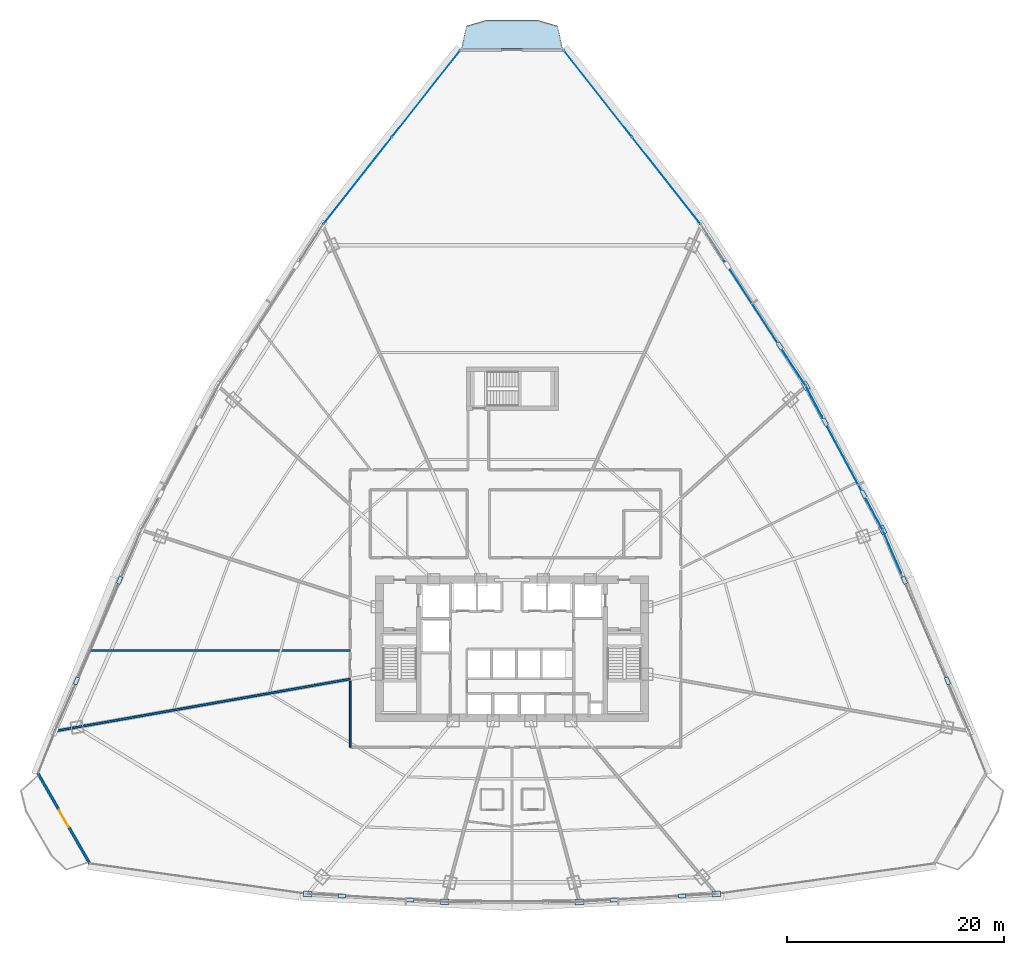
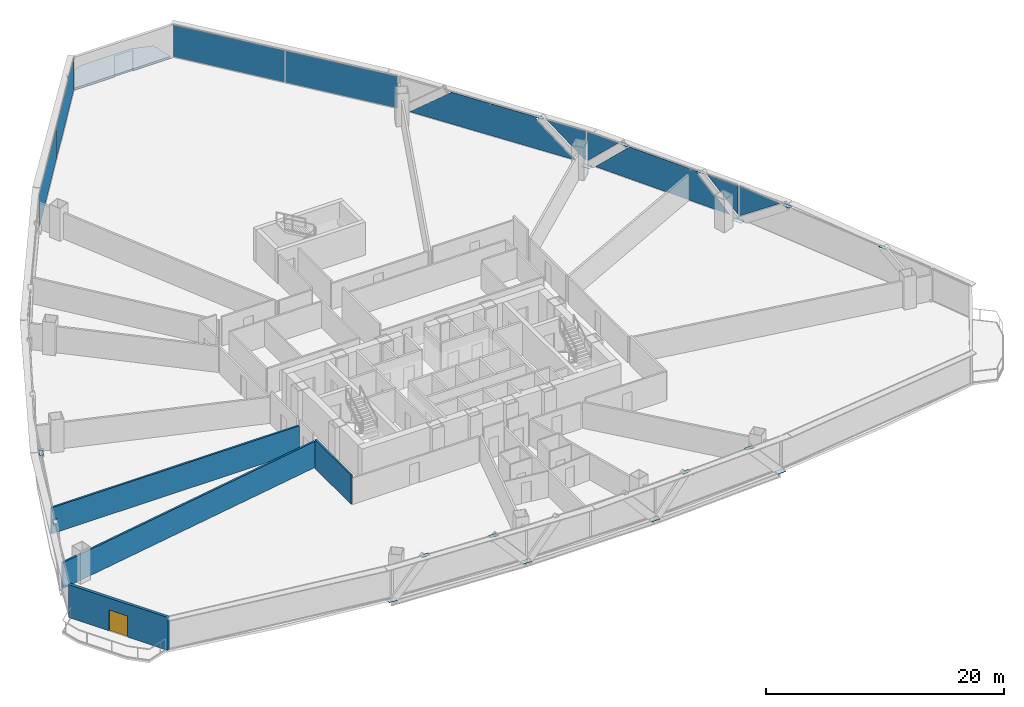
# One storey, part 29 of 38: 27 plates, 4 walls, 1 door, 1 slab, 1 opening, 5 elements without a shape of their own.
"""IFC4 building model written with IfcOpenShell, lengths in metres."""

from ifc_helpers import new_model, si_unit, direction, frame, frame_2d, origin, origin_with_axes, origin_2d, place, context, subcontext, project, spatial, polyline, rectangle, outline, extrude, source, transform, mapped, material, layer, layer_set, type_object, element, fill, aggregate, save


model = new_model("IFC4")

# Units and contexts
model_context = context("Model", 3, precision=1e-05, world=origin(), true_north=direction((0.0, 1.0)))
body_context = subcontext(model_context, "Body", "Model", "MODEL_VIEW")
ifc_project = project(units=[si_unit("LENGTHUNIT", "METRE"), si_unit("AREAUNIT", "SQUARE_METRE"), si_unit("VOLUMEUNIT", "CUBIC_METRE"), si_unit("PLANEANGLEUNIT", "RADIAN"), si_unit("MASSUNIT", "GRAM", prefix="KILO"), si_unit("THERMODYNAMICTEMPERATUREUNIT", "KELVIN"), si_unit("POWERUNIT", "WATT")], contexts=[model_context])

# Site, building, storey
site_placement = place(None, origin())
site = spatial("IfcSite", under=ifc_project, at=site_placement, CompositionType="ELEMENT")
building_placement = place(site_placement, origin())
building = spatial("IfcBuilding", under=site, at=building_placement, Name="Yunzhuo Pagoda Commons", CompositionType="ELEMENT")
storey_placement = place(building_placement, frame((0.0, 0.0, 34.030029296875)))
storey = spatial("IfcBuildingStorey", under=building, at=storey_placement, Name="L08", CompositionType="ELEMENT", Elevation=34.030029296875)

# Curtain wall, plate
ifc_material_1 = material(Name="Anodized aluminium 6063-T6", Category="aluminium")
ifc_layer_1 = layer(ifc_material_1, 0.1650390625)
ifc_layer_set_1 = layer_set([ifc_layer_1], Name="Anodized aluminium 6063-T6")
curtain_wall_type = type_object("IfcCurtainWallType", Name="CW-LOW Low-Zone Ribbon Curtain Wall", PredefinedType="NOTDEFINED", material=ifc_layer_set_1)
curtain_wall_1_placement = place(storey_placement, origin())
curtain_wall_1 = element("IfcCurtainWall", 1, at=curtain_wall_1_placement, inside=storey, type_object=curtain_wall_type, Name="L08 curtain wall CW-L08-F2B2", PredefinedType="NOTDEFINED")
ifc_material_2 = material(Name="Tempered low-e double glazing", Category="glass")
ifc_layer_2 = layer(ifc_material_2, 0.028076171875)
ifc_layer_set_2 = layer_set([ifc_layer_2], Name="Tempered low-e double glazing")
plate_type_1 = type_object("IfcPlateType", Name="CW-LOW-P Low-E Double Glazing 28", PredefinedType="CURTAIN_PANEL", material=ifc_layer_set_2)
plate_1_placement = place(storey_placement, frame((82.990478515625, 42.77978515625, 1.782470703125), z_axis=(0.918745212535, 0.394850901535, 0.0), x_axis=(-0.394850901535, 0.918745212535, 0.0)))
plate_1 = element("IfcPlate", 2, at=plate_1_placement, type_object=plate_type_1, Name="CW panel 1.1 lite 3", PredefinedType="CURTAIN_PANEL", context=body_context, shape_type="SweptSolid", body=[
    extrude(outline(polyline([(-2.1201171875, 1.52734375), (2.1201171875, -1.52734375), (2.1201171875, 1.52734375), (-2.1201171875, 1.52734375)])), origin(), (0.0, 0.0, 1.0), 0.028076171875),
])
aggregate(curtain_wall_1, [plate_1])

# Curtain wall, plates
curtain_wall_2_placement = place(storey_placement, origin())
curtain_wall_2 = element("IfcCurtainWall", 3, at=curtain_wall_2_placement, inside=storey, type_object=curtain_wall_type, Name="L08 curtain wall CW-L08-F2B3", PredefinedType="NOTDEFINED")
plate_2_placement = place(storey_placement, frame((81.370849609375, 46.205078125, 1.820556640625), z_axis=(0.882141395132, 0.470984669595, 0.0), x_axis=(-0.470984669595, 0.882141395132, 0.0)))
plate_2 = element("IfcPlate", 4, at=plate_2_placement, type_object=plate_type_1, Name="CW panel 1.1 lite 1", PredefinedType="CURTAIN_PANEL", context=body_context, shape_type="SweptSolid", body=[
    extrude(outline(polyline([(-1.543212890625, -1.489501953125), (1.543212890625, 1.489501953125), (-1.543212890625, 1.489501953125), (-1.543212890625, -1.489501953125)])), origin(), (0.0, 0.0, 1.0), 0.028076171875),
])
plate_3_placement = place(storey_placement, frame((78.5595703125, 51.406494140625, 1.68505859375), z_axis=(0.882141395132, 0.470984669595, 0.0), x_axis=(-0.470984669595, 0.882141395132, 0.0)))
plate_3 = element("IfcPlate", 5, at=plate_3_placement, type_object=plate_type_1, Name="CW panel 1.1 lite 2", PredefinedType="CURTAIN_PANEL", context=body_context, shape_type="SweptSolid", body=[
    extrude(outline(polyline([(-6.64208984375, -1.625), (6.64208984375, -1.625), (3.275390625, 1.625), (-3.275390625, 1.625), (-6.64208984375, -1.625)])), origin(), (0.0, 0.0, 1.0), 0.028076171875),
])
plate_4_placement = place(storey_placement, frame((75.80126953125, 56.636474609375, 1.820556640625), z_axis=(0.882141395132, 0.470984669595, 0.0), x_axis=(-0.470984669595, 0.882141395132, 0.0)))
plate_4 = element("IfcPlate", 6, at=plate_4_placement, type_object=plate_type_1, Name="CW panel 1.1 lite 3", PredefinedType="CURTAIN_PANEL", context=body_context, shape_type="SweptSolid", body=[
    extrude(outline(polyline([(-1.543212890625, 1.489501953125), (1.543212890625, -1.489501953125), (1.543212890625, 1.489501953125), (-1.543212890625, 1.489501953125)])), origin(), (0.0, 0.0, 1.0), 0.028076171875),
])
aggregate(curtain_wall_2, [plate_2, plate_3, plate_4])

curtain_wall_3_placement = place(storey_placement, origin())
curtain_wall_3 = element("IfcCurtainWall", 7, at=curtain_wall_3_placement, inside=storey, type_object=curtain_wall_type, Name="L08 curtain wall CW-L08-F2B4", PredefinedType="NOTDEFINED")
plate_5_placement = place(storey_placement, frame((74.007568359375, 59.65087890625, 1.797607421875), z_axis=(0.83865240069, 0.544667009114, 0.0), x_axis=(-0.544667009114, 0.83865240069, 0.0)))
plate_5 = element("IfcPlate", 8, at=plate_5_placement, type_object=plate_type_1, Name="CW panel 1.1 lite 1", PredefinedType="CURTAIN_PANEL", context=body_context, shape_type="SweptSolid", body=[
    extrude(outline(polyline([(-1.8388671875, -1.51220703125), (1.8388671875, 1.51220703125), (-1.8388671875, 1.51220703125), (-1.8388671875, -1.51220703125)])), origin(), (0.0, 0.0, 1.0), 0.028076171875),
])
plate_6_placement = place(storey_placement, frame((70.2109375, 65.441650390625, 1.68505859375), z_axis=(0.83865240069, 0.544667009114, 0.0), x_axis=(-0.544667009114, 0.83865240069, 0.0)))
plate_6 = element("IfcPlate", 9, at=plate_6_placement, type_object=plate_type_1, Name="CW panel 1.1 lite 2", PredefinedType="CURTAIN_PANEL", context=body_context, shape_type="SweptSolid", body=[
    extrude(outline(polyline([(-7.8408203125, -1.625), (7.8408203125, -1.625), (3.888916015625, 1.625), (-3.888916015625, 1.625), (-7.8408203125, -1.625)])), origin(), (0.0, 0.0, 1.0), 0.028076171875),
])
aggregate(curtain_wall_3, [plate_5, plate_6])

# Slab
ifc_material_3 = material(Name="Concrete C40", Category="concrete")
ifc_layer_3 = layer(ifc_material_3, 0.199951171875)
ifc_layer_set_3 = layer_set([ifc_layer_3], Name="Concrete C40")
slab_type = type_object("IfcSlabType", Name="SL-BAL Vertex Balcony Deck Slab 200", PredefinedType="FLOOR", material=ifc_layer_set_3)
slab_placement = place(storey_placement, frame((0.0, 0.0, -0.199951171875)))
element("IfcSlab", 10, at=slab_placement, inside=storey, type_object=slab_type, Name="L08 corner balcony V3", PredefinedType="FLOOR", context=body_context, shape_type="SweptSolid", body=[
    extrude(outline(polyline([(52.66357421875, 89.11572265625), (43.33642578125, 89.11572265625), (43.786376953125, 91.210693359375), (45.668212890625, 91.7607421875), (50.331787109375, 91.7607421875), (52.213623046875, 91.210693359375), (52.66357421875, 89.11572265625)])), origin(), (0.0, 0.0, 1.0), 0.199951171875),
])

# Plates
ifc_material_4 = material(Name="Structural steel Q355B", Category="steel")
ifc_layer_4 = layer(ifc_material_4, 0.028076171875)
ifc_layer_set_4 = layer_set([ifc_layer_4], Name="Structural steel Q355B")
plate_type_2 = type_object("IfcPlateType", Name="SP-ND1 Lattice Node Cap Plate 800x500x28", PredefinedType="USERDEFINED", material=ifc_layer_set_4)
shared_shape_1 = source(origin(), body_context, "Body", "SweptSolid", [
    extrude(rectangle(XDim=0.800048828125, YDim=0.5, at=origin_2d()), origin(), (0.0, 0.0, 1.0), 0.028076171875),
])
for number, where, z_axis, x_axis, name in (
    (11, (29.18701171875, 11.279541015625, -0.27392578125), (0.0, 0.0, 1.0), (0.998322672768, -0.057895086472, 0.0), "L08 diamond node plate F1.1A"),
    (12, (41.79638671875, 10.548095703125, -0.27392578125), (0.0, 0.0, 1.0), (1.0, 0.0, 0.0), "L08 diamond node plate F1.2A"),
    (13, (54.20361328125, 10.548095703125, -0.27392578125), (0.0, 0.0, 1.0), (0.998322672768, 0.057895086472, 0.0), "L08 diamond node plate F1.3A"),
    (14, (66.81298828125, 11.279541015625, -0.27392578125), (0.0, 0.0, 1.0), (0.998322672768, 0.057895086472, 0.0), "L08 diamond node plate F1.3B"),
    (15, (82.140625, 44.79296875, -0.27392578125), (0.0, 0.0, 1.0), (-0.470981088896, 0.882143306897, 0.0), "L08 diamond node plate F2.2A"),
    (16, (75.056396484375, 58.061767578125, -0.27392578125), (0.0, 0.0, 1.0), (-0.544668309809, 0.838651555946, 0.0), "L08 diamond node plate F2.3A"),
):
    element("IfcPlate", number, at=place(storey_placement, frame(where, z_axis=z_axis, x_axis=x_axis)), inside=storey, type_object=plate_type_2, Name=name, ObjectType="STIFFENER_PLATE", PredefinedType="USERDEFINED", context=body_context, shape_type="MappedRepresentation", body=[
        mapped(shared_shape_1, transform((0.0, 0.0, 0.0), scale=1.0)),
    ])
shared_shape_2 = source(origin(), body_context, "Body", "SweptSolid", [
    extrude(rectangle(XDim=0.699951171875, YDim=0.35009765625, at=origin_2d()), origin(), (0.0, 0.0, 1.0), 0.035888671875),
])
for number, where, z_axis, x_axis, name in (
    (17, (32.33935546875, 11.0966796875, 3.33203125), (0.0, 0.0, 1.0), (0.998322672768, -0.057895086472, 0.0), "L08 setback lattice tie plate F1.1L"),
    (18, (38.64404296875, 10.73095703125, 3.33203125), (0.0, 0.0, 1.0), (0.998322672768, -0.057895086472, 0.0), "L08 setback lattice tie plate F1.1R"),
    (19, (57.35595703125, 10.73095703125, 3.33203125), (0.0, 0.0, 1.0), (0.998322672768, 0.057895086472, 0.0), "L08 setback lattice tie plate F1.3L"),
    (20, (63.66064453125, 11.0966796875, 3.33203125), (0.0, 0.0, 1.0), (0.998322672768, 0.057895086472, 0.0), "L08 setback lattice tie plate F1.3R"),
    (21, (88.10888671875, 30.906005859375, 3.33203125), (0.0, 0.0, 1.0), (-0.39485610496, 0.918742976232, 0.0), "L08 setback lattice tie plate F2.1L"),
    (22, (84.130126953125, 40.1640625, 3.33203125), (0.0, 0.0, 1.0), (-0.39485610496, 0.918742976232, 0.0), "L08 setback lattice tie plate F2.1R"),
    (23, (80.36962890625, 48.110107421875, 3.33203125), (0.0, 0.0, 1.0), (-0.470981088896, 0.882143306897, 0.0), "L08 setback lattice tie plate F2.2L"),
    (24, (76.827392578125, 54.744384765625, 3.33203125), (0.0, 0.0, 1.0), (-0.470981088896, 0.882143306897, 0.0), "L08 setback lattice tie plate F2.2R"),
    (25, (72.652099609375, 61.763671875, 3.33203125), (0.0, 0.0, 1.0), (-0.544668309809, 0.838651555946, 0.0), "L08 setback lattice tie plate F2.3L"),
    (26, (11.869873046875, 40.1640625, 3.33203125), (0.0, 0.0, 1.0), (-0.39485610496, -0.918742976232, 0.0), "L08 setback lattice tie plate F3.3L"),
    (27, (7.89111328125, 30.906005859375, 3.33203125), (0.0, 0.0, 1.0), (-0.39485610496, -0.918742976232, 0.0), "L08 setback lattice tie plate F3.3R"),
):
    element("IfcPlate", number, at=place(storey_placement, frame(where, z_axis=z_axis, x_axis=x_axis)), inside=storey, type_object=plate_type_2, Name=name, ObjectType="STIFFENER_PLATE", PredefinedType="USERDEFINED", context=body_context, shape_type="MappedRepresentation", body=[
        mapped(shared_shape_2, transform((0.0, 0.0, 0.0), scale=1.0)),
    ])

# Curtain wall, plates
curtain_wall_4_placement = place(storey_placement, origin())
curtain_wall_4 = element("IfcCurtainWall", 28, at=curtain_wall_4_placement, inside=storey, type_object=curtain_wall_type, Name="L08 curtain wall CW-L08-F2B5", PredefinedType="NOTDEFINED")
shared_shape_3 = source(origin(), body_context, "Body", "SweptSolid", [
    extrude(rectangle(XDim=10.116455078125, YDim=0.028076171875, at=origin_2d()), origin(), (0.0, 0.0, 1.0), 3.25),
])
plate_7_placement = place(storey_placement, frame((62.224365234375, 76.954345703125, 0.06005859375), z_axis=(0.0, 0.0, 1.0), x_axis=(-0.618481153932, 0.785799632369, 0.0)))
plate_7 = element("IfcPlate", 29, at=plate_7_placement, type_object=plate_type_1, Name="CW panel 1.1", PredefinedType="CURTAIN_PANEL", context=body_context, shape_type="MappedRepresentation", body=[
    mapped(shared_shape_3, transform((0.0, 0.0, 0.0), scale=1.0)),
])
plate_8_placement = place(storey_placement, frame((55.92724609375, 84.954833984375, 0.06005859375), z_axis=(0.0, 0.0, 1.0), x_axis=(-0.618481153932, 0.785799632369, 0.0)))
plate_8 = element("IfcPlate", 30, at=plate_8_placement, type_object=plate_type_1, Name="CW panel 2.1", PredefinedType="CURTAIN_PANEL", context=body_context, shape_type="MappedRepresentation", body=[
    mapped(shared_shape_3, transform((0.0, 0.0, 0.0), scale=1.0)),
])
aggregate(curtain_wall_4, [plate_7, plate_8])

curtain_wall_5_placement = place(storey_placement, origin())
curtain_wall_5 = element("IfcCurtainWall", 31, at=curtain_wall_5_placement, inside=storey, type_object=curtain_wall_type, Name="L08 curtain wall CW-L08-F3B1", PredefinedType="NOTDEFINED")
plate_9_placement = place(storey_placement, frame((40.07275390625, 84.954833984375, 0.06005859375), z_axis=(0.0, 0.0, 1.0), x_axis=(-0.618481153932, -0.785799632369, 0.0)))
plate_9 = element("IfcPlate", 32, at=plate_9_placement, type_object=plate_type_1, Name="CW panel 1.1", PredefinedType="CURTAIN_PANEL", context=body_context, shape_type="MappedRepresentation", body=[
    mapped(shared_shape_3, transform((0.0, 0.0, 0.0), scale=1.0)),
])
plate_10_placement = place(storey_placement, frame((33.775634765625, 76.954345703125, 0.06005859375), z_axis=(0.0, 0.0, 1.0), x_axis=(-0.618481153932, -0.785799632369, 0.0)))
plate_10 = element("IfcPlate", 33, at=plate_10_placement, type_object=plate_type_1, Name="CW panel 2.1", PredefinedType="CURTAIN_PANEL", context=body_context, shape_type="MappedRepresentation", body=[
    mapped(shared_shape_3, transform((0.0, 0.0, 0.0), scale=1.0)),
])
aggregate(curtain_wall_5, [plate_9, plate_10])

# Wall, opening, door
ifc_material_5 = material(Name="Precast concrete C40", Category="concrete")
ifc_layer_5 = layer(ifc_material_5, 0.260009765625)
ifc_layer_set_5 = layer_set([ifc_layer_5], Name="Precast concrete C40")
wall_type_1 = type_object("IfcWallType", Name="W-BAL1 Corner Balcony Threshold Wall 260", PredefinedType="STANDARD", material=ifc_layer_set_5)
wall_1_placement = place(storey_placement, frame((4.329345703125, 22.4169921875, 0.0), z_axis=(0.0, 0.0, 1.0), x_axis=(0.497938580997, -0.867212297857, 0.0)))
wall_1 = element("IfcWall", 34, at=wall_1_placement, inside=storey, type_object=wall_type_1, Name="L08 corner balcony wall V1", PredefinedType="STANDARD", context=body_context, shape_type="SweptSolid", body=[
    extrude(rectangle(XDim=9.665771484375, YDim=0.260009765625, at=frame_2d((4.8330078125, 0.0))), origin(), (0.0, 0.0, 1.0), 3.369873046875),
])
opening_placement = place(wall_1_placement, frame((3.93310546875, 0.0, 0.0)))
opening = element("IfcOpeningElement", 35, at=opening_placement, cuts=wall_1, Name="Opening D-BAL1", PredefinedType="OPENING", context=body_context, shape_type="SweptSolid", body=[
    extrude(rectangle(XDim=1.800048828125, YDim=2.14990234375, at=frame_2d((0.89990234375, 1.074951171875))), frame((0.0, 0.14013671875, 0.0), z_axis=(0.0, -1.0, 0.0), x_axis=(1.0, 0.0, 0.0)), (0.0, 0.0, 1.0), 0.280029296875),
])
ifc_material_6 = material(Name="Anodized aluminium frame and tempered glazed leaf", Category="aluminium")
door_type = type_object("IfcDoorType", Name="D-BAL1 Corner Balcony Sliding Glazed Door 1800x2150", OperationType="DOUBLE_DOOR_SLIDING", PredefinedType="DOOR", material=ifc_material_6)
shared_shape_4 = source(origin(), body_context, "Body", "SweptSolid", [
    extrude(rectangle(XDim=1.800048828125, YDim=2.14990234375, at=frame_2d((0.89990234375, 1.074951171875))), frame((0.0, 0.02490234375, 0.0), z_axis=(0.0, -1.0, 0.0), x_axis=(1.0, 0.0, 0.0)), (0.0, 0.0, 1.0), 0.050048828125),
])
door_placement = place(opening_placement, origin_with_axes())
door = element("IfcDoor", 36, at=door_placement, inside=storey, type_object=door_type, Name="L08 corner balcony sliding door V1", OperationType="DOUBLE_DOOR_SLIDING", OverallHeight=2.14990234375, OverallWidth=1.800048828125, PredefinedType="DOOR", context=body_context, shape_type="MappedRepresentation", body=[
    mapped(shared_shape_4, transform((0.0, 0.0, 0.0), scale=1.0)),
])
fill(opening, door)

# Walls
ifc_material_7 = material(Name="Gypsum plasterboard on acoustic stud")
ifc_layer_6 = layer(ifc_material_7, 0.159912109375)
ifc_layer_set_6 = layer_set([ifc_layer_6], Name="Gypsum plasterboard on acoustic stud")
wall_type_2 = type_object("IfcWallType", Name="W-COR1 Tower Rated Corridor Wall 160", PredefinedType="PARTITIONING", material=ifc_layer_set_6)
wall_2_placement = place(storey_placement, frame((33.10009765625, 24.800048828125, 0.0), z_axis=(0.0, 0.0, 1.0), x_axis=(0.0, 1.0, 0.0)))
element("IfcWall", 37, at=wall_2_placement, inside=storey, type_object=wall_type_2, Name="L08 interior wall IW-L08-CWL01", PredefinedType="PARTITIONING", context=body_context, shape_type="SweptSolid", body=[
    extrude(rectangle(XDim=6.04931640625, YDim=0.159912109375, at=frame_2d((3.024658203125, 0.0))), origin(), (0.0, 0.0, 1.0), 2.969970703125),
])
ifc_layer_7 = layer(ifc_material_7, 0.179931640625)
ifc_layer_set_7 = layer_set([ifc_layer_7], Name="Gypsum plasterboard on acoustic stud")
wall_type_3 = type_object("IfcWallType", Name="W-PRT2 Acoustic Unit Demising Wall 180", PredefinedType="PARTITIONING", material=ifc_layer_set_7)
wall_3_placement = place(storey_placement, frame((33.10009765625, 33.699951171875, 0.0), z_axis=(0.0, 0.0, 1.0), x_axis=(-1.0, 0.0, 0.0)))
element("IfcWall", 38, at=wall_3_placement, inside=storey, type_object=wall_type_3, Name="L08 interior wall IW-L08-RAD08", PredefinedType="PARTITIONING", context=body_context, shape_type="SweptSolid", body=[
    extrude(rectangle(XDim=24.00830078125, YDim=0.179931640625, at=frame_2d((12.004150390625, 0.0))), origin(), (0.0, 0.0, 1.0), 2.669921875),
])
wall_4_placement = place(storey_placement, frame((33.10009765625, 31.07275390625, 0.0), z_axis=(0.0, 0.0, 1.0), x_axis=(-0.98480731051, -0.173650687201, 0.0)))
element("IfcWall", 39, at=wall_4_placement, inside=storey, type_object=wall_type_3, Name="L08 interior wall IW-L08-RAD09", PredefinedType="PARTITIONING", context=body_context, shape_type="SweptSolid", body=[
    extrude(rectangle(XDim=27.6181640625, YDim=0.179931640625, at=frame_2d((13.80908203125, 0.0))), origin(), (0.0, 0.0, 1.0), 2.669921875),
])

save(model, "model.ifc")
